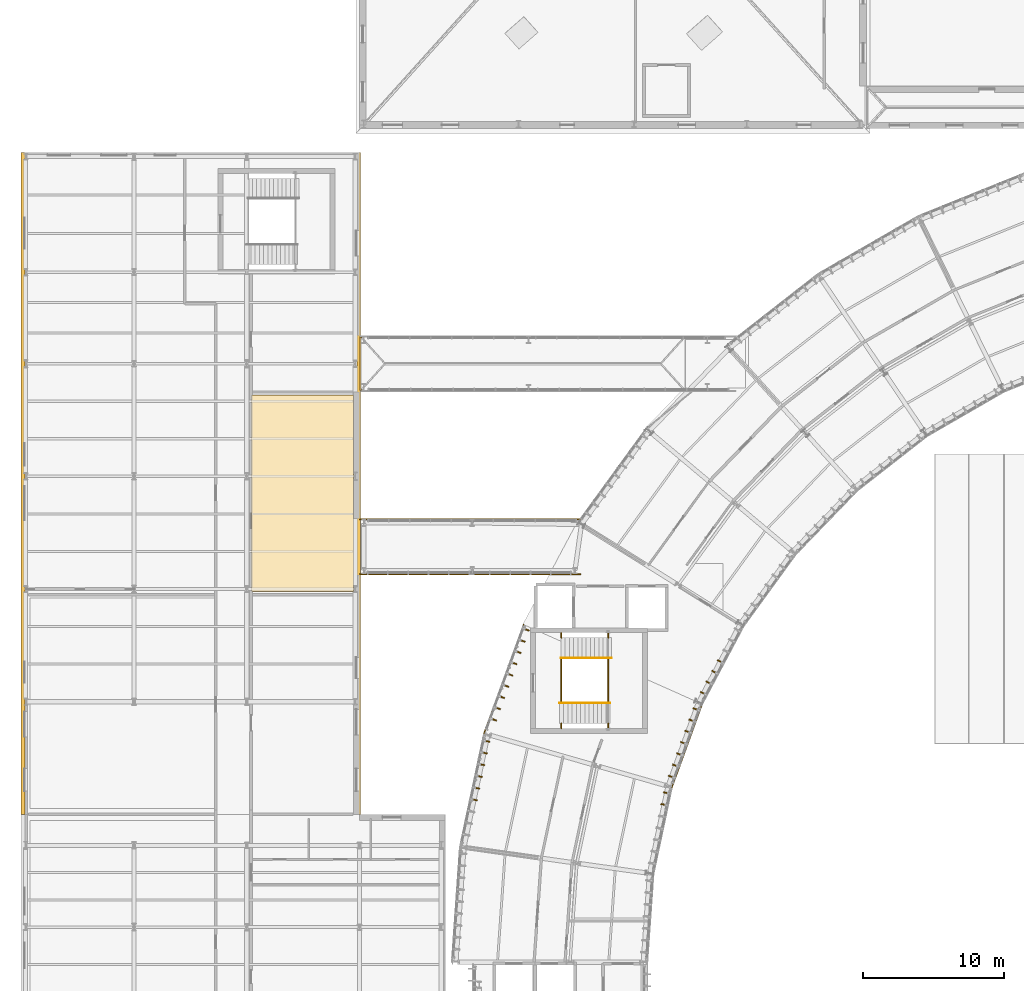
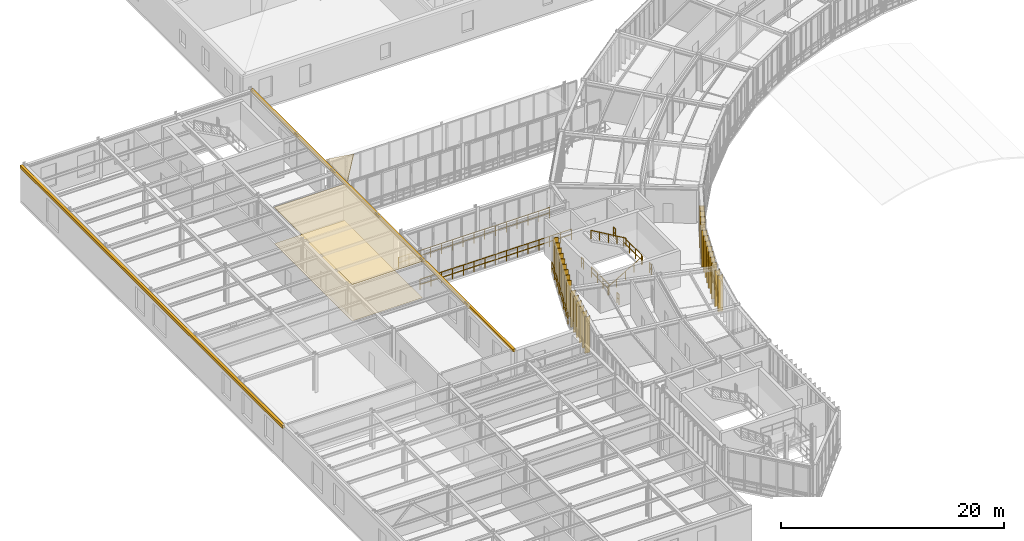
# One storey, part 51 of 57: 33 coverings, 12 railings.
"""IFC4 building model written with IfcOpenShell, lengths in metres."""

from ifc_helpers import new_model, si_unit, direction, frame, origin, origin_2d, place, context, subcontext, project, spatial, polyline, rectangle, circle, outline, extrude, material, layer, layer_set, type_object, element, save


model = new_model("IFC4")

# Units and contexts
model_context = context("Model", 3, precision=1e-05, world=origin(), true_north=direction((0.0, 1.0)))
body_context = subcontext(model_context, "Body", "Model", "MODEL_VIEW")
ifc_project = project(units=[si_unit("LENGTHUNIT", "METRE"), si_unit("AREAUNIT", "SQUARE_METRE"), si_unit("VOLUMEUNIT", "CUBIC_METRE"), si_unit("PLANEANGLEUNIT", "RADIAN"), si_unit("MASSUNIT", "GRAM", prefix="KILO"), si_unit("THERMODYNAMICTEMPERATUREUNIT", "KELVIN"), si_unit("POWERUNIT", "WATT")], contexts=[model_context])

# Site, building, storey
site_placement = place(None, origin())
site = spatial("IfcSite", under=ifc_project, at=site_placement, CompositionType="ELEMENT")
building_placement = place(site_placement, origin())
building = spatial("IfcBuilding", under=site, at=building_placement, Name="Solvatero Civic Police Headquarters", CompositionType="ELEMENT")
storey_placement = place(building_placement, frame((0.0, 0.0, 9.300048828125)))
storey = spatial("IfcBuildingStorey", under=building, at=storey_placement, Name="L02", CompositionType="ELEMENT", Elevation=9.300048828125)

# Coverings
ifc_material_1 = material(Name="Mineral-Fibre Acoustic Tile", Category="gypsum")
ifc_layer_1 = layer(ifc_material_1, 0.02490234375)
ifc_layer_set_1 = layer_set([ifc_layer_1], Name="Mineral-Fibre Acoustic Tile")
covering_type_1 = type_object("IfcCoveringType", Name="COV-CEIL-AC", PredefinedType="CEILING", material=ifc_layer_set_1)
covering_1_placement = place(storey_placement, frame((0.0, 0.0, 3.974853515625)))
element("IfcCovering", 1, at=covering_1_placement, inside=storey, type_object=covering_type_1, Name="Acoustic Ceiling Trace Fibre and Micro-Particulate Lab", PredefinedType="CEILING", context=body_context, shape_type="SweptSolid", body=[
    extrude(outline(polyline([(28.080078125, 66.280029296875), (28.080078125, 52.320068359375), (20.820068359375, 52.320068359375), (20.820068359375, 66.280029296875), (28.080078125, 66.280029296875)])), origin(), (0.0, 0.0, 1.0), 0.025146484375),
])
ifc_material_2 = material(Name="Anodized Bronze Aluminium", Category="aluminium")
ifc_layer_2 = layer(ifc_material_2, 0.080078125)
ifc_layer_set_2 = layer_set([ifc_layer_2], Name="Anodized Bronze Aluminium")
covering_type_2 = type_object("IfcCoveringType", Name="COV-FIN-480", PredefinedType="CLADDING", material=ifc_layer_set_2)
for number, where, z_axis, x_axis, name in (
    (2, (54.130859375, 47.33837890625, -0.02001953125), (0.0, 0.0, 1.0), (-0.469471562786, -0.882947592859, 0.0), "Vertical Brise-Soleil Fin 0487"),
    (3, (53.73193359375, 46.587890625, -0.02001953125), (0.0, 0.0, 1.0), (-0.469471562786, -0.882947592859, 0.0), "Vertical Brise-Soleil Fin 0488"),
    (4, (53.332763671875, 45.83740234375, -0.02001953125), (0.0, 0.0, 1.0), (-0.469471562786, -0.882947592859, 0.0), "Vertical Brise-Soleil Fin 0489"),
    (5, (52.93359375, 45.0869140625, -0.02001953125), (0.0, 0.0, 1.0), (-0.469471562786, -0.882947592859, 0.0), "Vertical Brise-Soleil Fin 0490"),
    (6, (40.31884765625, 49.632568359375, -0.02001953125), (0.0, 0.0, 1.0), (-0.342020143326, -0.939692620786, 0.0), "Vertical Brise-Soleil Fin 0491"),
    (7, (40.028076171875, 48.833740234375, -0.02001953125), (0.0, 0.0, 1.0), (-0.342020143326, -0.939692620786, 0.0), "Vertical Brise-Soleil Fin 0492"),
    (8, (39.7373046875, 48.03515625, -0.02001953125), (0.0, 0.0, 1.0), (-0.342020143326, -0.939692620786, 0.0), "Vertical Brise-Soleil Fin 0493"),
    (9, (39.44677734375, 47.236328125, -0.02001953125), (0.0, 0.0, 1.0), (-0.342020143326, -0.939692620786, 0.0), "Vertical Brise-Soleil Fin 0494"),
    (10, (39.156005859375, 46.4375, -0.02001953125), (0.0, 0.0, 1.0), (-0.342020143326, -0.939692620786, 0.0), "Vertical Brise-Soleil Fin 0495"),
    (11, (38.865234375, 45.638916015625, -0.02001953125), (0.0, 0.0, 1.0), (-0.342020143326, -0.939692620786, 0.0), "Vertical Brise-Soleil Fin 0496"),
    (12, (38.57470703125, 44.840087890625, -0.02001953125), (0.0, 0.0, 1.0), (-0.342020143326, -0.939692620786, 0.0), "Vertical Brise-Soleil Fin 0497"),
    (13, (38.283935546875, 44.04150390625, -0.02001953125), (0.0, 0.0, 1.0), (-0.342020143326, -0.939692620786, 0.0), "Vertical Brise-Soleil Fin 0498"),
    (14, (37.9931640625, 43.24267578125, -0.02001953125), (0.0, 0.0, 1.0), (-0.342020143326, -0.939692620786, 0.0), "Vertical Brise-Soleil Fin 0499"),
    (15, (52.412841796875, 43.954833984375, -0.02001953125), (0.0, 0.0, 1.0), (-0.342003742543, -0.93969859002, 0.0), "Vertical Brise-Soleil Fin 0500"),
    (16, (52.1220703125, 43.156005859375, -0.02001953125), (0.0, 0.0, 1.0), (-0.342003742543, -0.93969859002, 0.0), "Vertical Brise-Soleil Fin 0501"),
    (17, (51.831298828125, 42.357421875, -0.02001953125), (0.0, 0.0, 1.0), (-0.342003742543, -0.93969859002, 0.0), "Vertical Brise-Soleil Fin 0502"),
    (18, (51.54052734375, 41.55859375, -0.02001953125), (0.0, 0.0, 1.0), (-0.342003742543, -0.93969859002, 0.0), "Vertical Brise-Soleil Fin 0503"),
    (19, (51.25, 40.760009765625, -0.02001953125), (0.0, 0.0, 1.0), (-0.342003742543, -0.93969859002, 0.0), "Vertical Brise-Soleil Fin 0504"),
    (20, (50.959228515625, 39.961181640625, -0.02001953125), (0.0, 0.0, 1.0), (-0.342003742543, -0.93969859002, 0.0), "Vertical Brise-Soleil Fin 0505"),
    (21, (50.66845703125, 39.162353515625, -0.02001953125), (0.0, 0.0, 1.0), (-0.342003742543, -0.93969859002, 0.0), "Vertical Brise-Soleil Fin 0506"),
    (22, (37.50341796875, 41.70166015625, -0.02001953125), (0.0, 0.0, 1.0), (-0.207911690818, -0.978147600734, 0.0), "Vertical Brise-Soleil Fin 0507"),
    (23, (37.32666015625, 40.8701171875, -0.02001953125), (0.0, 0.0, 1.0), (-0.207911690818, -0.978147600734, 0.0), "Vertical Brise-Soleil Fin 0508"),
    (24, (37.14990234375, 40.038818359375, -0.02001953125), (0.0, 0.0, 1.0), (-0.207911690818, -0.978147600734, 0.0), "Vertical Brise-Soleil Fin 0509"),
    (25, (36.973388671875, 39.207275390625, -0.02001953125), (0.0, 0.0, 1.0), (-0.207911690818, -0.978147600734, 0.0), "Vertical Brise-Soleil Fin 0510"),
    (26, (36.79638671875, 38.3759765625, -0.02001953125), (0.0, 0.0, 1.0), (-0.207911690818, -0.978147600734, 0.0), "Vertical Brise-Soleil Fin 0511"),
    (27, (36.619873046875, 37.54443359375, -0.02001953125), (0.0, 0.0, 1.0), (-0.207911690818, -0.978147600734, 0.0), "Vertical Brise-Soleil Fin 0512"),
    (28, (50.323974609375, 38.016845703125, -0.02001953125), (0.0, 0.0, 1.0), (-0.207911690818, -0.978147600734, 0.0), "Vertical Brise-Soleil Fin 0516"),
    (29, (50.147216796875, 37.185302734375, -0.02001953125), (0.0, 0.0, 1.0), (-0.207911690818, -0.978147600734, 0.0), "Vertical Brise-Soleil Fin 0517"),
):
    element("IfcCovering", number, at=place(storey_placement, frame(where, z_axis=z_axis, x_axis=x_axis)), inside=storey, type_object=covering_type_2, Name=name, PredefinedType="CLADDING", context=body_context, shape_type="SweptSolid", body=[
        extrude(rectangle(XDim=0.080078125, YDim=0.47998046875, at=origin_2d()), origin(), (0.0, 0.0, 1.0), 3.97998046875),
    ])
ifc_material_3 = material(Name="Anti-Static Laboratory Epoxy", Category="plastic")
ifc_layer_3 = layer(ifc_material_3, 0.014892578125)
ifc_layer_set_3 = layer_set([ifc_layer_3], Name="Anti-Static Laboratory Epoxy")
covering_type_3 = type_object("IfcCoveringType", Name="COV-FLR-EPX", PredefinedType="FLOORING", material=ifc_layer_set_3)
covering_2_placement = place(storey_placement, origin())
element("IfcCovering", 30, at=covering_2_placement, inside=storey, type_object=covering_type_3, Name="Flooring Trace Fibre and Micro-Particulate Lab", PredefinedType="FLOORING", context=body_context, shape_type="SweptSolid", body=[
    extrude(outline(polyline([(28.080078125, 66.280029296875), (28.080078125, 52.320068359375), (20.820068359375, 52.320068359375), (20.820068359375, 66.280029296875), (28.080078125, 66.280029296875)])), origin(), (0.0, 0.0, 1.0), 0.014892578125),
])
ifc_material_4 = material(Name="Lombard Terracotta Clay Tile", Category="masonry")
ifc_layer_4 = layer(ifc_material_4, 0.06005859375)
ifc_layer_set_4 = layer_set([ifc_layer_4], Name="Lombard Terracotta Clay Tile")
covering_type_4 = type_object("IfcCoveringType", Name="COV-RF-TILE", PredefinedType="ROOFING", material=ifc_layer_set_4)
covering_3_placement = place(storey_placement, frame((28.5400390625, 70.4599609375, 3.989990234375), z_axis=(-0.551403153833, 0.0, 0.834238911789), x_axis=(0.0, -1.0, 0.0)))
element("IfcCovering", 31, at=covering_3_placement, inside=storey, type_object=covering_type_4, Name="SB2R Lombard Terracotta Hipped Roof Covering W", PredefinedType="ROOFING", context=body_context, shape_type="SweptSolid", body=[
    extrude(outline(polyline([(0.0, 0.0), (3.919921875, 0.0), (1.9599609375, 2.121717779208626), (0.0, 0.0)])), origin(), (0.0, 0.0, -1.0), 0.06005859375),
])
ifc_material_5 = material(Name="Cream Limestone Ashlar", Category="masonry")
ifc_layer_5 = layer(ifc_material_5, 0.10009765625)
ifc_layer_set_5 = layer_set([ifc_layer_5], Name="Cream Limestone Ashlar")
covering_type_5 = type_object("IfcCoveringType", Name="COV-TRIM-STONE", PredefinedType="CLADDING", material=ifc_layer_set_5)
covering_4_placement = place(storey_placement, frame((4.60009765625, 60.0, 3.56005859375), z_axis=(0.0, 0.0, 1.0), x_axis=(1.0, 0.0, 0.0)))
element("IfcCovering", 32, at=covering_4_placement, inside=storey, type_object=covering_type_5, Name="Classical Limestone Trim TRIM-V6-L02-W", PredefinedType="CLADDING", context=body_context, shape_type="SweptSolid", body=[
    extrude(rectangle(XDim=0.280029296875, YDim=47.0, at=origin_2d()), origin(), (0.0, 0.0, 1.0), 0.320068359375),
])
covering_5_placement = place(storey_placement, frame((28.43994140625, 60.0, 3.56982421875), z_axis=(0.0, 0.0, 1.0), x_axis=(1.0, 0.0, 0.0)))
element("IfcCovering", 33, at=covering_5_placement, inside=storey, type_object=covering_type_5, Name="Classical Limestone Trim TRIM-V6-L02-E", PredefinedType="CLADDING", context=body_context, shape_type="SweptSolid", body=[
    extrude(rectangle(XDim=0.239990234375, YDim=47.0, at=origin_2d()), origin(), (0.0, 0.0, 1.0), 0.300048828125),
])

# Railings
ifc_material_6 = material(Name="Anodized Bronze and Laminated Glass", Category="glass")
railing_type_1 = type_object("IfcRailingType", Name="RL-BAL-115", PredefinedType="BALUSTRADE", material=ifc_material_6)
railing_1_placement = place(storey_placement, frame((28.550048828125, 53.550048828125, 0.0)))
element("IfcRailing", 34, at=railing_1_placement, inside=storey, type_object=railing_type_1, Name="Glazed Facade Sill Balustrade RL-L02-SB1-S", PredefinedType="BALUSTRADE", context=body_context, shape_type="SweptSolid", body=[
    extrude(circle(Radius=0.02392578125, at=origin_2d()), frame((0.0, 0.0, 1.1259765625), z_axis=(1.0, 0.0, 0.0), x_axis=(0.0, 1.0, 0.0)), (0.0, 0.0, 1.0), 15.64990234375),
    extrude(circle(Radius=0.02392578125, at=origin_2d()), frame((0.0, 0.0, 0.55078125), z_axis=(1.0, 0.0, 0.0), x_axis=(0.0, 1.0, 0.0)), (0.0, 0.0, 1.0), 15.64990234375),
    extrude(circle(Radius=0.02099609375, at=origin_2d()), origin(), (0.0, 0.0, 1.0), 1.101806640625),
    extrude(circle(Radius=0.02099609375, at=origin_2d()), frame((1.117919921875, 0.0, 0.0)), (0.0, 0.0, 1.0), 1.101806640625),
    extrude(circle(Radius=0.02099609375, at=origin_2d()), frame((2.235595703125, 0.0, 0.0)), (0.0, 0.0, 1.0), 1.101806640625),
    extrude(circle(Radius=0.02099609375, at=origin_2d()), frame((3.353515625, 0.0, 0.0)), (0.0, 0.0, 1.0), 1.101806640625),
    extrude(circle(Radius=0.02099609375, at=origin_2d()), frame((4.471435546875, 0.0, 0.0)), (0.0, 0.0, 1.0), 1.101806640625),
    extrude(circle(Radius=0.02099609375, at=origin_2d()), frame((5.58935546875, 0.0, 0.0)), (0.0, 0.0, 1.0), 1.101806640625),
    extrude(circle(Radius=0.02099609375, at=origin_2d()), frame((6.70703125, 0.0, 0.0)), (0.0, 0.0, 1.0), 1.101806640625),
    extrude(circle(Radius=0.02099609375, at=origin_2d()), frame((7.824951171875, 0.0, 0.0)), (0.0, 0.0, 1.0), 1.101806640625),
    extrude(circle(Radius=0.02099609375, at=origin_2d()), frame((8.94287109375, 0.0, 0.0)), (0.0, 0.0, 1.0), 1.101806640625),
    extrude(circle(Radius=0.02099609375, at=origin_2d()), frame((10.060546875, 0.0, 0.0)), (0.0, 0.0, 1.0), 1.101806640625),
    extrude(circle(Radius=0.02099609375, at=origin_2d()), frame((11.178466796875, 0.0, 0.0)), (0.0, 0.0, 1.0), 1.101806640625),
    extrude(circle(Radius=0.02099609375, at=origin_2d()), frame((12.29638671875, 0.0, 0.0)), (0.0, 0.0, 1.0), 1.101806640625),
    extrude(circle(Radius=0.02099609375, at=origin_2d()), frame((13.414306640625, 0.0, 0.0)), (0.0, 0.0, 1.0), 1.101806640625),
    extrude(circle(Radius=0.02099609375, at=origin_2d()), frame((14.531982421875, 0.0, 0.0)), (0.0, 0.0, 1.0), 1.101806640625),
    extrude(circle(Radius=0.02099609375, at=origin_2d()), frame((15.64990234375, 0.0, 0.0)), (0.0, 0.0, 1.0), 1.101806640625),
])
railing_2_placement = place(storey_placement, frame((28.550048828125, 57.449951171875, 0.0)))
element("IfcRailing", 35, at=railing_2_placement, inside=storey, type_object=railing_type_1, Name="Glazed Facade Sill Balustrade RL-L02-SB1-N", PredefinedType="BALUSTRADE", context=body_context, shape_type="SweptSolid", body=[
    extrude(circle(Radius=0.02392578125, at=origin_2d()), frame((0.0, 0.0, 1.1259765625), z_axis=(1.0, 0.0, 0.0), x_axis=(0.0, 1.0, 0.0)), (0.0, 0.0, 1.0), 15.64990234375),
    extrude(circle(Radius=0.02392578125, at=origin_2d()), frame((0.0, 0.0, 0.55078125), z_axis=(1.0, 0.0, 0.0), x_axis=(0.0, 1.0, 0.0)), (0.0, 0.0, 1.0), 15.64990234375),
    extrude(circle(Radius=0.02099609375, at=origin_2d()), origin(), (0.0, 0.0, 1.0), 1.101806640625),
    extrude(circle(Radius=0.02099609375, at=origin_2d()), frame((1.117919921875, 0.0, 0.0)), (0.0, 0.0, 1.0), 1.101806640625),
    extrude(circle(Radius=0.02099609375, at=origin_2d()), frame((2.235595703125, 0.0, 0.0)), (0.0, 0.0, 1.0), 1.101806640625),
    extrude(circle(Radius=0.02099609375, at=origin_2d()), frame((3.353515625, 0.0, 0.0)), (0.0, 0.0, 1.0), 1.101806640625),
    extrude(circle(Radius=0.02099609375, at=origin_2d()), frame((4.471435546875, 0.0, 0.0)), (0.0, 0.0, 1.0), 1.101806640625),
    extrude(circle(Radius=0.02099609375, at=origin_2d()), frame((5.58935546875, 0.0, 0.0)), (0.0, 0.0, 1.0), 1.101806640625),
    extrude(circle(Radius=0.02099609375, at=origin_2d()), frame((6.70703125, 0.0, 0.0)), (0.0, 0.0, 1.0), 1.101806640625),
    extrude(circle(Radius=0.02099609375, at=origin_2d()), frame((7.824951171875, 0.0, 0.0)), (0.0, 0.0, 1.0), 1.101806640625),
    extrude(circle(Radius=0.02099609375, at=origin_2d()), frame((8.94287109375, 0.0, 0.0)), (0.0, 0.0, 1.0), 1.101806640625),
    extrude(circle(Radius=0.02099609375, at=origin_2d()), frame((10.060546875, 0.0, 0.0)), (0.0, 0.0, 1.0), 1.101806640625),
    extrude(circle(Radius=0.02099609375, at=origin_2d()), frame((11.178466796875, 0.0, 0.0)), (0.0, 0.0, 1.0), 1.101806640625),
    extrude(circle(Radius=0.02099609375, at=origin_2d()), frame((12.29638671875, 0.0, 0.0)), (0.0, 0.0, 1.0), 1.101806640625),
    extrude(circle(Radius=0.02099609375, at=origin_2d()), frame((13.414306640625, 0.0, 0.0)), (0.0, 0.0, 1.0), 1.101806640625),
    extrude(circle(Radius=0.02099609375, at=origin_2d()), frame((14.531982421875, 0.0, 0.0)), (0.0, 0.0, 1.0), 1.101806640625),
    extrude(circle(Radius=0.02099609375, at=origin_2d()), frame((15.64990234375, 0.0, 0.0)), (0.0, 0.0, 1.0), 1.101806640625),
])
railing_3_placement = place(storey_placement, frame((52.835693359375, 44.32763671875, 0.0)))
element("IfcRailing", 36, at=railing_3_placement, inside=storey, type_object=railing_type_1, Name="Glazed Facade Sill Balustrade RL-L02-ARCIN-B10", PredefinedType="BALUSTRADE", context=body_context, shape_type="SweptSolid", body=[
    extrude(circle(Radius=0.02392578125, at=origin_2d()), frame((0.0, 0.0, 1.1259765625), z_axis=(-0.342020563113, -0.939692467996, 0.0), x_axis=(0.939692467996, -0.342020563113, 0.0)), (0.0, 0.0, 1.0), 6.28662109375),
    extrude(circle(Radius=0.02392578125, at=origin_2d()), frame((0.0, 0.0, 0.55078125), z_axis=(-0.342020563113, -0.939692467996, 0.0), x_axis=(0.939692467996, -0.342020563113, 0.0)), (0.0, 0.0, 1.0), 6.28662109375),
    extrude(circle(Radius=0.02099609375, at=origin_2d()), origin(), (0.0, 0.0, 1.0), 1.101806640625),
    extrude(circle(Radius=0.02099609375, at=origin_2d()), frame((-0.3583984375, -0.984619140625, 0.0)), (0.0, 0.0, 1.0), 1.101806640625),
    extrude(circle(Radius=0.02099609375, at=origin_2d()), frame((-0.716796875, -1.96923828125, 0.0)), (0.0, 0.0, 1.0), 1.101806640625),
    extrude(circle(Radius=0.02099609375, at=origin_2d()), frame((-1.0751953125, -2.95361328125, 0.0)), (0.0, 0.0, 1.0), 1.101806640625),
    extrude(circle(Radius=0.02099609375, at=origin_2d()), frame((-1.433349609375, -3.938232421875, 0.0)), (0.0, 0.0, 1.0), 1.101806640625),
    extrude(circle(Radius=0.02099609375, at=origin_2d()), frame((-1.791748046875, -4.9228515625, 0.0)), (0.0, 0.0, 1.0), 1.101806640625),
    extrude(circle(Radius=0.02099609375, at=origin_2d()), frame((-2.150146484375, -5.907470703125, 0.0)), (0.0, 0.0, 1.0), 1.101806640625),
])
railing_4_placement = place(storey_placement, frame((40.155517578125, 49.97314453125, 0.0)))
element("IfcRailing", 37, at=railing_4_placement, inside=storey, type_object=railing_type_1, Name="Glazed Facade Sill Balustrade RL-L02-ARCOUT-B10", PredefinedType="BALUSTRADE", context=body_context, shape_type="SweptSolid", body=[
    extrude(circle(Radius=0.02392578125, at=origin_2d()), frame((0.0, 0.0, 1.1259765625), z_axis=(-0.342002894578, -0.939698898637, 0.0), x_axis=(0.939698898637, -0.342002894578, 0.0)), (0.0, 0.0, 1.0), 8.222900390625),
    extrude(circle(Radius=0.02392578125, at=origin_2d()), frame((0.0, 0.0, 0.55078125), z_axis=(-0.342002894578, -0.939698898637, 0.0), x_axis=(0.939698898637, -0.342002894578, 0.0)), (0.0, 0.0, 1.0), 8.222900390625),
    extrude(circle(Radius=0.02099609375, at=origin_2d()), origin(), (0.0, 0.0, 1.0), 1.101806640625),
    extrude(circle(Radius=0.02099609375, at=origin_2d()), frame((-0.40185546875, -1.103759765625, 0.0)), (0.0, 0.0, 1.0), 1.101806640625),
    extrude(circle(Radius=0.02099609375, at=origin_2d()), frame((-0.803466796875, -2.207763671875, 0.0)), (0.0, 0.0, 1.0), 1.101806640625),
    extrude(circle(Radius=0.02099609375, at=origin_2d()), frame((-1.205322265625, -3.3115234375, 0.0)), (0.0, 0.0, 1.0), 1.101806640625),
    extrude(circle(Radius=0.02099609375, at=origin_2d()), frame((-1.60693359375, -4.41552734375, 0.0)), (0.0, 0.0, 1.0), 1.101806640625),
    extrude(circle(Radius=0.02099609375, at=origin_2d()), frame((-2.0087890625, -5.519287109375, 0.0)), (0.0, 0.0, 1.0), 1.101806640625),
    extrude(circle(Radius=0.02099609375, at=origin_2d()), frame((-2.410400390625, -6.623291015625, 0.0)), (0.0, 0.0, 1.0), 1.101806640625),
    extrude(circle(Radius=0.02099609375, at=origin_2d()), frame((-2.812255859375, -7.72705078125, 0.0)), (0.0, 0.0, 1.0), 1.101806640625),
])
ifc_material_7 = material(Name="Painted Galvanized Steel", Category="steel")
railing_type_2 = type_object("IfcRailingType", Name="RL-GRD-110", PredefinedType="GUARDRAIL", material=ifc_material_7)
railing_5_placement = place(storey_placement, frame((42.830078125, 44.429931640625, 0.0)))
element("IfcRailing", 38, at=railing_5_placement, inside=storey, type_object=railing_type_2, Name="ST-C2 L02 Floor Well Guardrail", PredefinedType="GUARDRAIL", context=body_context, shape_type="SweptSolid", body=[
    extrude(circle(Radius=0.02392578125, at=origin_2d()), frame((0.0, 0.0, 1.09619140625), z_axis=(0.0, 1.0, 0.0), x_axis=(-1.0, 0.0, 0.0)), (0.0, 0.0, 1.0), 3.14013671875),
    extrude(circle(Radius=0.02392578125, at=origin_2d()), frame((0.0, 0.0, 0.5361328125), z_axis=(0.0, 1.0, 0.0), x_axis=(-1.0, 0.0, 0.0)), (0.0, 0.0, 1.0), 3.14013671875),
    extrude(circle(Radius=0.02099609375, at=origin_2d()), origin(), (0.0, 0.0, 1.0), 1.072021484375),
    extrude(circle(Radius=0.02099609375, at=origin_2d()), frame((0.0, 1.046630859375, 0.0)), (0.0, 0.0, 1.0), 1.072021484375),
    extrude(circle(Radius=0.02099609375, at=origin_2d()), frame((0.0, 2.093505859375, 0.0)), (0.0, 0.0, 1.0), 1.072021484375),
    extrude(circle(Radius=0.02099609375, at=origin_2d()), frame((0.0, 3.14013671875, 0.0)), (0.0, 0.0, 1.0), 1.072021484375),
])
for number, where, name in (
    (39, (42.830078125, 42.610107421875, 0.0), "ST-C2 L02 Floor Well South Slot Guardrail"),
    (40, (42.830078125, 49.030029296875, 0.0), "ST-C2 L02 Floor Well North Slot Guardrail"),
):
    element("IfcRailing", number, at=place(storey_placement, frame(where)), inside=storey, type_object=railing_type_2, Name=name, PredefinedType="GUARDRAIL", context=body_context, shape_type="SweptSolid", body=[
        extrude(circle(Radius=0.02392578125, at=origin_2d()), frame((0.0, 0.0, 1.09619140625), z_axis=(0.0, 1.0, 0.0), x_axis=(-1.0, 0.0, 0.0)), (0.0, 0.0, 1.0), 0.35986328125),
        extrude(circle(Radius=0.02392578125, at=origin_2d()), frame((0.0, 0.0, 0.5361328125), z_axis=(0.0, 1.0, 0.0), x_axis=(-1.0, 0.0, 0.0)), (0.0, 0.0, 1.0), 0.35986328125),
        extrude(circle(Radius=0.02099609375, at=origin_2d()), origin(), (0.0, 0.0, 1.0), 1.072021484375),
        extrude(circle(Radius=0.02099609375, at=origin_2d()), frame((0.0, 0.35986328125, 0.0)), (0.0, 0.0, 1.0), 1.072021484375),
    ])
railing_6_placement = place(storey_placement, frame((46.169921875, 44.429931640625, 2.099853515625)))
element("IfcRailing", 41, at=railing_6_placement, inside=storey, type_object=railing_type_2, Name="ST-C2 L02 Half-Landing Well Guardrail", PredefinedType="GUARDRAIL", context=body_context, shape_type="SweptSolid", body=[
    extrude(circle(Radius=0.02392578125, at=origin_2d()), frame((0.0, 0.0, 1.09619140625), z_axis=(0.0, 1.0, 0.0), x_axis=(-1.0, 0.0, 0.0)), (0.0, 0.0, 1.0), 3.14013671875),
    extrude(circle(Radius=0.02392578125, at=origin_2d()), frame((0.0, 0.0, 0.5361328125), z_axis=(0.0, 1.0, 0.0), x_axis=(-1.0, 0.0, 0.0)), (0.0, 0.0, 1.0), 3.14013671875),
    extrude(circle(Radius=0.02099609375, at=origin_2d()), origin(), (0.0, 0.0, 1.0), 1.072021484375),
    extrude(circle(Radius=0.02099609375, at=origin_2d()), frame((0.0, 1.046630859375, 0.0)), (0.0, 0.0, 1.0), 1.072021484375),
    extrude(circle(Radius=0.02099609375, at=origin_2d()), frame((0.0, 2.093505859375, 0.0)), (0.0, 0.0, 1.0), 1.072021484375),
    extrude(circle(Radius=0.02099609375, at=origin_2d()), frame((0.0, 3.14013671875, 0.0)), (0.0, 0.0, 1.0), 1.072021484375),
])
for number, where, name in (
    (42, (46.169921875, 42.610107421875, 2.099853515625), "ST-C2 L02 Half-Landing South Slot Guardrail"),
    (43, (46.169921875, 49.030029296875, 2.099853515625), "ST-C2 L02 Half-Landing North Slot Guardrail"),
):
    element("IfcRailing", number, at=place(storey_placement, frame(where)), inside=storey, type_object=railing_type_2, Name=name, PredefinedType="GUARDRAIL", context=body_context, shape_type="SweptSolid", body=[
        extrude(circle(Radius=0.02392578125, at=origin_2d()), frame((0.0, 0.0, 1.09619140625), z_axis=(0.0, 1.0, 0.0), x_axis=(-1.0, 0.0, 0.0)), (0.0, 0.0, 1.0), 0.35986328125),
        extrude(circle(Radius=0.02392578125, at=origin_2d()), frame((0.0, 0.0, 0.5361328125), z_axis=(0.0, 1.0, 0.0), x_axis=(-1.0, 0.0, 0.0)), (0.0, 0.0, 1.0), 0.35986328125),
        extrude(circle(Radius=0.02099609375, at=origin_2d()), origin(), (0.0, 0.0, 1.0), 1.072021484375),
        extrude(circle(Radius=0.02099609375, at=origin_2d()), frame((0.0, 0.35986328125, 0.0)), (0.0, 0.0, 1.0), 1.072021484375),
    ])
ifc_material_8 = material(Name="Brushed Stainless Steel", Category="steel")
railing_type_3 = type_object("IfcRailingType", Name="RL-HND-092", PredefinedType="HANDRAIL", material=ifc_material_8)
railing_7_placement = place(storey_placement, frame((42.699951171875, 44.39990234375, 0.0)))
element("IfcRailing", 44, at=railing_7_placement, inside=storey, type_object=railing_type_3, Name="ST-C2 L02 Flight 1 Handrail", PredefinedType="HANDRAIL", context=body_context, shape_type="SweptSolid", body=[
    extrude(circle(Radius=0.02392578125, at=origin_2d()), frame((0.0, 0.0, 0.89599609375), z_axis=(0.863800146258, 0.0, 0.503834603144), x_axis=(0.0, 1.0, 0.0)), (0.0, 0.0, 1.0), 4.167724609375),
    extrude(circle(Radius=0.02099609375, at=origin_2d()), origin(), (0.0, 0.0, 1.0), 0.871826171875),
    extrude(circle(Radius=0.02099609375, at=origin_2d()), frame((0.89990234375, 0.0, 0.52490234375)), (0.0, 0.0, 1.0), 0.871826171875),
    extrude(circle(Radius=0.02099609375, at=origin_2d()), frame((1.800048828125, 0.0, 1.0498046875)), (0.0, 0.0, 1.0), 0.871826171875),
    extrude(circle(Radius=0.02099609375, at=origin_2d()), frame((2.7001953125, 0.0, 1.574951171875)), (0.0, 0.0, 1.0), 0.871826171875),
    extrude(circle(Radius=0.02099609375, at=origin_2d()), frame((3.60009765625, 0.0, 2.099853515625)), (0.0, 0.0, 1.0), 0.871826171875),
])
railing_8_placement = place(storey_placement, frame((46.39990234375, 47.60009765625, 2.099853515625)))
element("IfcRailing", 45, at=railing_8_placement, inside=storey, type_object=railing_type_3, Name="ST-C2 L02 Flight 2 Handrail", PredefinedType="HANDRAIL", context=body_context, shape_type="SweptSolid", body=[
    extrude(circle(Radius=0.02392578125, at=origin_2d()), frame((0.0, 0.0, 0.89599609375), z_axis=(-0.863759778359, 0.0, 0.503903805591), x_axis=(0.0, -1.0, 0.0)), (0.0, 0.0, 1.0), 4.167724609375),
    extrude(circle(Radius=0.02099609375, at=origin_2d()), origin(), (0.0, 0.0, 1.0), 0.871826171875),
    extrude(circle(Radius=0.02099609375, at=origin_2d()), frame((-0.89990234375, 0.0, 0.52490234375)), (0.0, 0.0, 1.0), 0.871826171875),
    extrude(circle(Radius=0.02099609375, at=origin_2d()), frame((-1.7998046875, 0.0, 1.050048828125)), (0.0, 0.0, 1.0), 0.871826171875),
    extrude(circle(Radius=0.02099609375, at=origin_2d()), frame((-2.699951171875, 0.0, 1.5751953125)), (0.0, 0.0, 1.0), 0.871826171875),
    extrude(circle(Radius=0.02099609375, at=origin_2d()), frame((-3.599853515625, 0.0, 2.10009765625)), (0.0, 0.0, 1.0), 0.871826171875),
])

save(model, "model.ifc")
